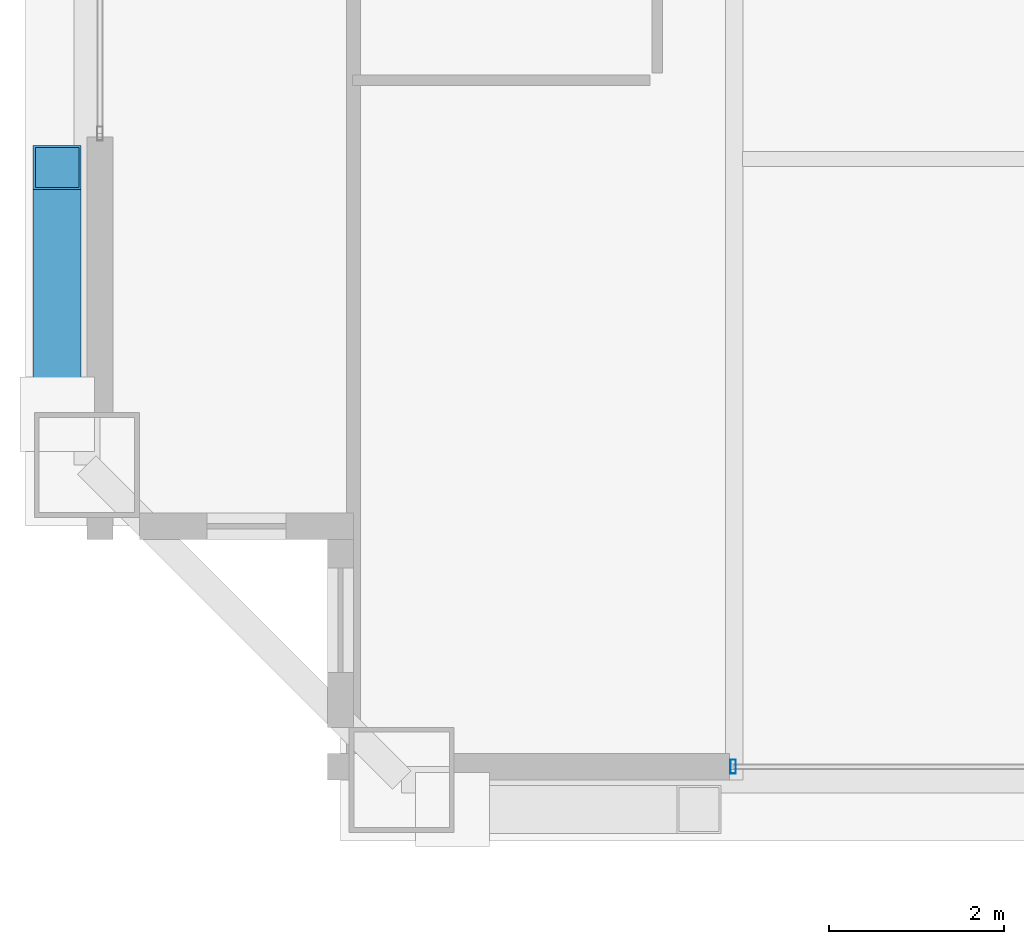
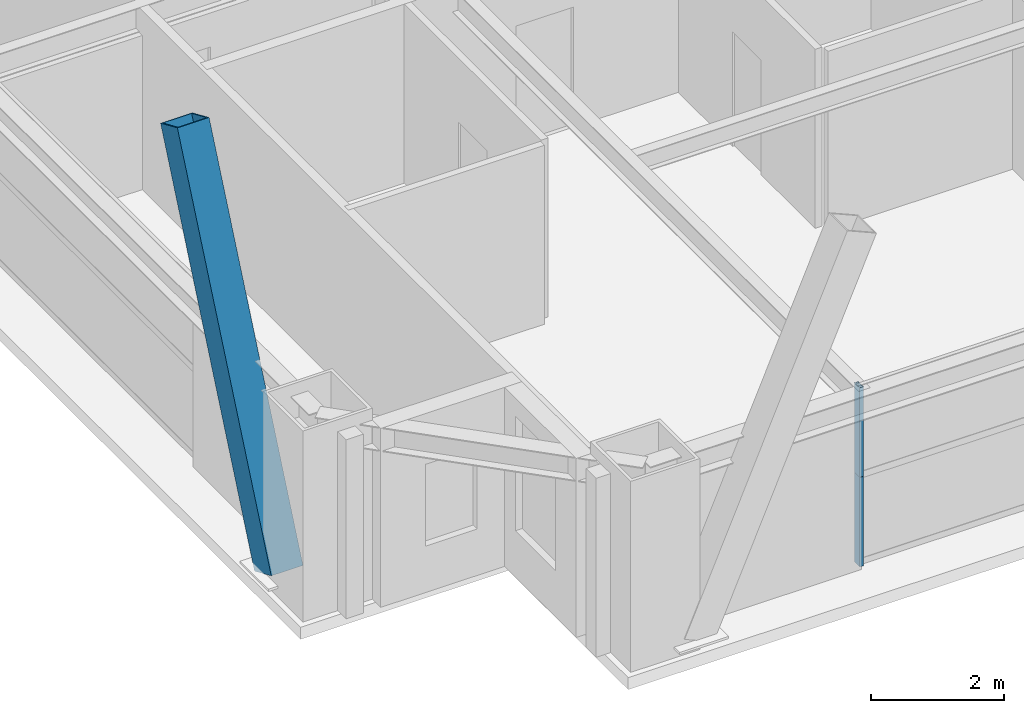
# One storey, part 3 of 34: 3 members, 1 element without a shape of its own.
"""IFC4 building model written with IfcOpenShell, lengths in metres."""

from ifc_helpers import new_model, si_unit, direction, frame, origin, origin_2d, place, context, subcontext, project, spatial, hollow_rectangle, extrude, source, transform, mapped, material, layer, layer_set, material_profile, profile_set, type_object, element, aggregate, save


model = new_model("IFC4")

# Units and contexts
model_context = context("Model", 3, precision=1e-05, world=origin(), true_north=direction((0.0, 1.0)))
body_context = subcontext(model_context, "Body", "Model", "MODEL_VIEW")
ifc_project = project(units=[si_unit("LENGTHUNIT", "METRE"), si_unit("AREAUNIT", "SQUARE_METRE"), si_unit("VOLUMEUNIT", "CUBIC_METRE"), si_unit("PLANEANGLEUNIT", "RADIAN"), si_unit("MASSUNIT", "GRAM", prefix="KILO"), si_unit("THERMODYNAMICTEMPERATUREUNIT", "KELVIN"), si_unit("POWERUNIT", "WATT")], contexts=[model_context])

# Site, building, storey
site_placement = place(None, origin())
site = spatial("IfcSite", under=ifc_project, at=site_placement, CompositionType="ELEMENT")
building_placement = place(site_placement, origin())
building = spatial("IfcBuilding", under=site, at=building_placement, Name="Yuzanri Waterfront Tower", CompositionType="ELEMENT")
storey_placement = place(building_placement, frame((0.0, 0.0, 241.60009765625)))
storey = spatial("IfcBuildingStorey", under=building, at=storey_placement, Name="L64", CompositionType="ELEMENT", Elevation=241.60009765625)

# Member
ifc_material_1 = material(Name="Steel Q390GJC", Category="steel")
ifc_material_profile_1 = material_profile(ifc_material_1, hollow_rectangle(XDim=0.550048828125, YDim=0.550048828125, WallThickness=0.02490234375, at=origin_2d()), Name="RHS 550x550x25")
ifc_profile_set_1 = profile_set([ifc_material_profile_1], Name="Steel Q390GJC")
member_type_1 = type_object("IfcMemberType", Name="Mega Brace Mid Q390GJC RHS 550x550x25", PredefinedType="BRACE", material=ifc_profile_set_1)
shared_shape_1 = source(origin(), body_context, "Body", "SweptSolid", [
    extrude(hollow_rectangle(XDim=0.550048828125, YDim=0.550048828125, WallThickness=0.02490234375, at=origin_2d()), origin(), (0.0, 0.0, 1.0), 7.08544921875),
])
member_1_placement = place(storey_placement, frame((16.06005859375, 9.3798828125, 0.179931640625), z_axis=(0.0, 0.398011598745, 0.917380383082), x_axis=(-1.0, 0.0, 0.0)))
element("IfcMember", 1, at=member_1_placement, inside=storey, type_object=member_type_1, Name="L64-L65 Perimeter Mega-Brace W-L", PredefinedType="BRACE", context=body_context, shape_type="MappedRepresentation", body=[
    mapped(shared_shape_1, transform((0.0, 0.0, 0.0), scale=1.0)),
])

# Curtain wall, members
ifc_material_2 = material(Name="Anodized Architectural Bronze", Category="metal")
ifc_layer = layer(ifc_material_2, 0.159912109375)
ifc_layer_set = layer_set([ifc_layer], Name="Anodized Architectural Bronze")
curtain_wall_type = type_object("IfcCurtainWallType", Name="Anodized Bronze Mid-Rise Residential Acoustic Unitized Curtain Wall 7200", PredefinedType="NOTDEFINED", material=ifc_layer_set)
curtain_wall_placement = place(storey_placement, origin())
curtain_wall = element("IfcCurtainWall", 2, at=curtain_wall_placement, inside=storey, type_object=curtain_wall_type, Name="L64 Curtain Wall CW-L64-SL1", PredefinedType="NOTDEFINED")
ifc_material_3 = material(Name="Anodized Architectural Bronze", Category="metal")
ifc_material_profile_2 = material_profile(ifc_material_3, hollow_rectangle(XDim=0.06494140625, YDim=0.159912109375, WallThickness=0.00341796875, at=origin_2d()), Name="CWM 65x160")
ifc_profile_set_2 = profile_set([ifc_material_profile_2], Name="Anodized Architectural Bronze")
member_type_2 = type_object("IfcMemberType", Name="Anodized Bronze Upper-Zone Curtain-Wall Mullion 65x160", PredefinedType="MULLION", material=ifc_profile_set_2)
shared_shape_2 = source(origin(), body_context, "Body", "SweptSolid", [
    extrude(hollow_rectangle(XDim=0.06494140625, YDim=0.159912109375, WallThickness=0.00341796875, at=origin_2d()), origin(), (0.0, 0.0, 1.0), 1.637939453125),
])
member_2_placement = place(storey_placement, frame((23.7900390625, 5.35009765625, 0.0), z_axis=(0.0, 0.0, 1.0), x_axis=(1.0, 0.0, 0.0)))
member_2 = element("IfcMember", 3, at=member_2_placement, type_object=member_type_2, Name="CW-L64-SL1 Lower Mullion 00", PredefinedType="MULLION", context=body_context, shape_type="MappedRepresentation", body=[
    mapped(shared_shape_2, transform((0.0, 0.0, 0.0), scale=1.0)),
])
member_3_placement = place(storey_placement, frame((23.7900390625, 5.35009765625, 1.641845703125), z_axis=(0.0, 0.0, 1.0), x_axis=(1.0, 0.0, 0.0)))
member_3 = element("IfcMember", 4, at=member_3_placement, type_object=member_type_2, Name="CW-L64-SL1 Upper Mullion 00", PredefinedType="MULLION", context=body_context, shape_type="MappedRepresentation", body=[
    mapped(shared_shape_2, transform((0.0, 0.0, 0.0), scale=1.0)),
])
aggregate(curtain_wall, [member_2, member_3])

save(model, "model.ifc")
